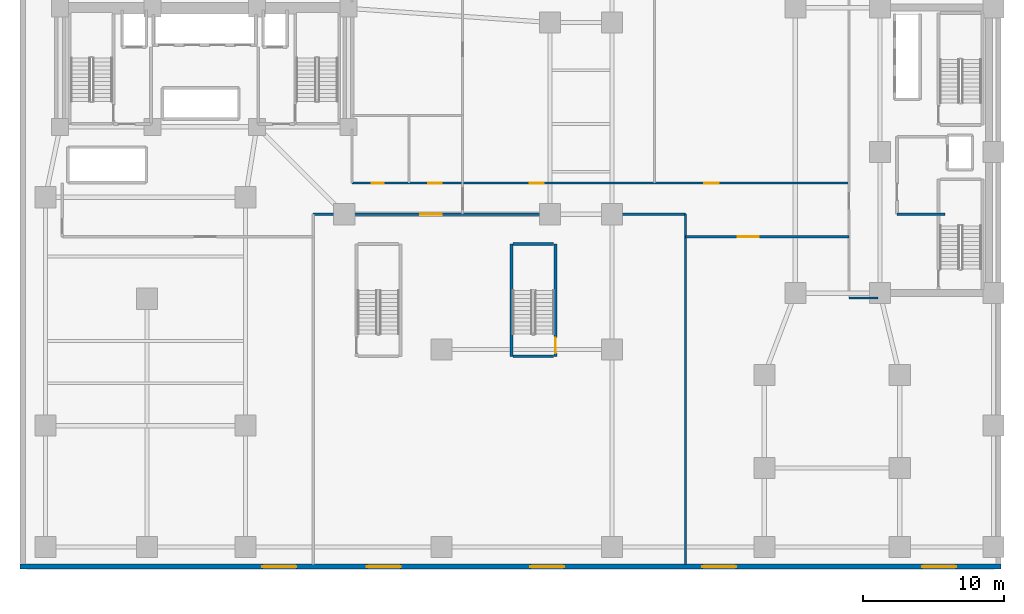
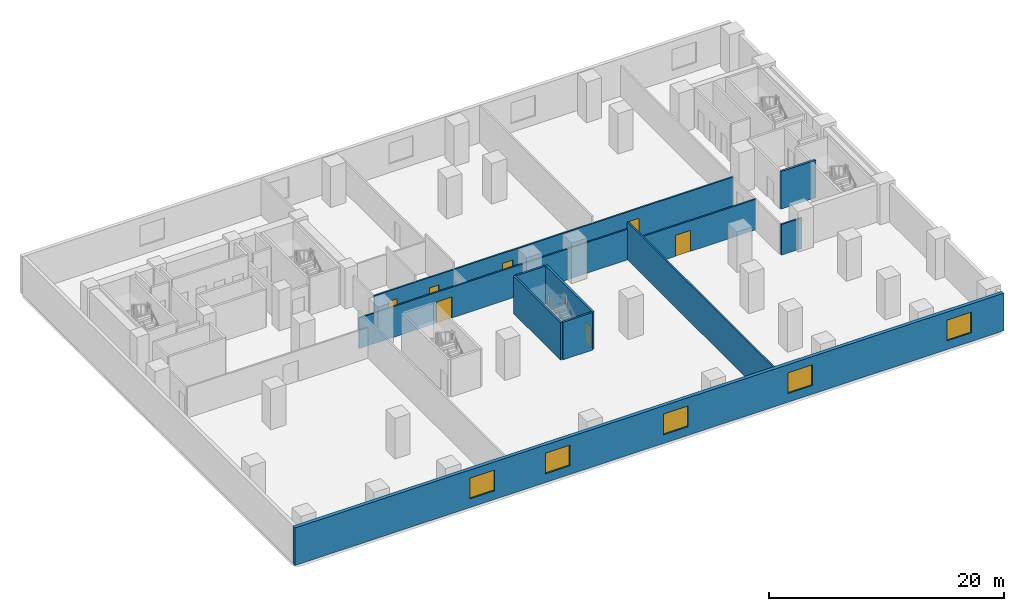
# One storey, part 3 of 8: 11 walls, 7 doors, 5 windows, 12 openings.
"""IFC4 building model written with IfcOpenShell, lengths in metres."""

from ifc_helpers import new_model, si_unit, direction, frame, frame_2d, origin, place, context, subcontext, project, spatial, rectangle, extrude, material, layer, layer_set, type_object, element, fill, save


model = new_model("IFC4")

# Units and contexts
model_context = context("Model", 3, precision=1e-05, world=origin(), true_north=direction((0.0, 1.0)))
body_context = subcontext(model_context, "Body", "Model", "MODEL_VIEW")
ifc_project = project(units=[si_unit("LENGTHUNIT", "METRE"), si_unit("AREAUNIT", "SQUARE_METRE"), si_unit("VOLUMEUNIT", "CUBIC_METRE"), si_unit("PLANEANGLEUNIT", "RADIAN"), si_unit("MASSUNIT", "GRAM", prefix="KILO")], contexts=[model_context])

# Site, building, storey
site_placement = place(None, origin())
site = spatial("IfcSite", under=ifc_project, at=site_placement, CompositionType="ELEMENT")
building_placement = place(site_placement, origin())
building = spatial("IfcBuilding", under=site, at=building_placement, Name="Kuzgunbayir Cultural Tower", CompositionType="ELEMENT")
storey_placement = place(building_placement, frame((0.0, 0.0, 17.60009765625)))
storey = spatial("IfcBuildingStorey", under=building, at=storey_placement, Name="L04", CompositionType="ELEMENT", Elevation=17.60009765625)

# Wall, openings, windows
ifc_material_1 = material(Name="Anatolian Cream Limestone", Category="masonry")
ifc_layer_1 = layer(ifc_material_1, 0.35009765625)
ifc_layer_set_1 = layer_set([ifc_layer_1], Name="Anatolian Cream Limestone")
wall_type_1 = type_object("IfcWallType", Name="WAL-EXT-STONE-350", PredefinedType="STANDARD", material=ifc_layer_set_1)
wall_1_placement = place(storey_placement, frame((3.60009765625, 2.60009765625, 0.0), z_axis=(0.0, 0.0, 1.0), x_axis=(1.0, 0.0, 0.0)))
wall_1 = element("IfcWall", 1, at=wall_1_placement, inside=storey, type_object=wall_type_1, Name="L04 Podium South Limestone Facade", PredefinedType="STANDARD", context=body_context, shape_type="SweptSolid", body=[
    extrude(rectangle(XDim=69.599853515625, YDim=0.35009765625, at=frame_2d((34.7998046875, 0.0))), origin(), (0.0, 0.0, 1.0), 3.89990234375),
])
opening_1_placement = place(wall_1_placement, frame((17.199951171875, 0.0, 0.89990234375)))
opening_1 = element("IfcOpeningElement", 2, at=opening_1_placement, cuts=wall_1, Name="Opening WG-24", PredefinedType="OPENING", context=body_context, shape_type="SweptSolid", body=[
    extrude(rectangle(XDim=2.39990234375, YDim=2.14990234375, at=frame_2d((1.199951171875, 1.074951171875))), frame((0.0, 0.18505859375, 0.0), z_axis=(0.0, -1.0, 0.0), x_axis=(1.0, 0.0, 0.0)), (0.0, 0.0, 1.0), 0.3701171875),
])
opening_2_placement = place(wall_1_placement, frame((24.60009765625, 0.0, 0.89990234375)))
opening_2 = element("IfcOpeningElement", 3, at=opening_2_placement, cuts=wall_1, Name="Opening WG-24", PredefinedType="OPENING", context=body_context, shape_type="SweptSolid", body=[
    extrude(rectangle(XDim=2.39990234375, YDim=2.14990234375, at=frame_2d((1.199951171875, 1.074951171875))), frame((0.0, 0.18505859375, 0.0), z_axis=(0.0, -1.0, 0.0), x_axis=(1.0, 0.0, 0.0)), (0.0, 0.0, 1.0), 0.3701171875),
])
opening_3_placement = place(wall_1_placement, frame((36.199951171875, 0.0, 0.89990234375)))
opening_3 = element("IfcOpeningElement", 4, at=opening_3_placement, cuts=wall_1, Name="Opening WG-24", PredefinedType="OPENING", context=body_context, shape_type="SweptSolid", body=[
    extrude(rectangle(XDim=2.39990234375, YDim=2.14990234375, at=frame_2d((1.199951171875, 1.074951171875))), frame((0.0, 0.18505859375, 0.0), z_axis=(0.0, -1.0, 0.0), x_axis=(1.0, 0.0, 0.0)), (0.0, 0.0, 1.0), 0.3701171875),
])
opening_4_placement = place(wall_1_placement, frame((48.39990234375, 0.0, 0.89990234375)))
opening_4 = element("IfcOpeningElement", 5, at=opening_4_placement, cuts=wall_1, Name="Opening WG-24", PredefinedType="OPENING", context=body_context, shape_type="SweptSolid", body=[
    extrude(rectangle(XDim=2.39990234375, YDim=2.14990234375, at=frame_2d((1.199951171875, 1.074951171875))), frame((0.0, 0.18505859375, 0.0), z_axis=(0.0, -1.0, 0.0), x_axis=(1.0, 0.0, 0.0)), (0.0, 0.0, 1.0), 0.3701171875),
])
opening_5_placement = place(wall_1_placement, frame((64.0, 0.0, 0.89990234375)))
opening_5 = element("IfcOpeningElement", 6, at=opening_5_placement, cuts=wall_1, Name="Opening WG-24", PredefinedType="OPENING", context=body_context, shape_type="SweptSolid", body=[
    extrude(rectangle(XDim=2.39990234375, YDim=2.14990234375, at=frame_2d((1.199951171875, 1.074951171875))), frame((0.0, 0.18505859375, 0.0), z_axis=(0.0, -1.0, 0.0), x_axis=(1.0, 0.0, 0.0)), (0.0, 0.0, 1.0), 0.3701171875),
])
ifc_material_2 = material(Name="Solar-Control Triple Glazing", Category="glass")
window_type = type_object("IfcWindowType", Name="WIN-GALLERY-24", PartitioningType="SINGLE_PANEL", PredefinedType="WINDOW", material=ifc_material_2)
window_1_placement = place(opening_1_placement, origin())
window_1 = element("IfcWindow", 7, at=window_1_placement, inside=storey, type_object=window_type, Name="L04 Podium South Gallery Window 1", OverallHeight=2.14990234375, OverallWidth=2.39990234375, PartitioningType="SINGLE_PANEL", PredefinedType="WINDOW", context=body_context, shape_type="SweptSolid", body=[
    extrude(rectangle(XDim=2.39990234375, YDim=2.14990234375, at=frame_2d((1.199951171875, 1.074951171875))), frame((0.0, 0.030029296875, 0.0), z_axis=(0.0, -1.0, 0.0), x_axis=(1.0, 0.0, 0.0)), (0.0, 0.0, 1.0), 0.06005859375),
])
fill(opening_1, window_1)
window_2_placement = place(opening_2_placement, origin())
window_2 = element("IfcWindow", 8, at=window_2_placement, inside=storey, type_object=window_type, Name="L04 Podium South Gallery Window 2", OverallHeight=2.14990234375, OverallWidth=2.39990234375, PartitioningType="SINGLE_PANEL", PredefinedType="WINDOW", context=body_context, shape_type="SweptSolid", body=[
    extrude(rectangle(XDim=2.39990234375, YDim=2.14990234375, at=frame_2d((1.199951171875, 1.074951171875))), frame((0.0, 0.030029296875, 0.0), z_axis=(0.0, -1.0, 0.0), x_axis=(1.0, 0.0, 0.0)), (0.0, 0.0, 1.0), 0.06005859375),
])
fill(opening_2, window_2)
window_3_placement = place(opening_3_placement, origin())
window_3 = element("IfcWindow", 9, at=window_3_placement, inside=storey, type_object=window_type, Name="L04 Podium South Gallery Window 3", OverallHeight=2.14990234375, OverallWidth=2.39990234375, PartitioningType="SINGLE_PANEL", PredefinedType="WINDOW", context=body_context, shape_type="SweptSolid", body=[
    extrude(rectangle(XDim=2.39990234375, YDim=2.14990234375, at=frame_2d((1.199951171875, 1.074951171875))), frame((0.0, 0.030029296875, 0.0), z_axis=(0.0, -1.0, 0.0), x_axis=(1.0, 0.0, 0.0)), (0.0, 0.0, 1.0), 0.06005859375),
])
fill(opening_3, window_3)
window_4_placement = place(opening_4_placement, origin())
window_4 = element("IfcWindow", 10, at=window_4_placement, inside=storey, type_object=window_type, Name="L04 Podium South Gallery Window 4", OverallHeight=2.14990234375, OverallWidth=2.39990234375, PartitioningType="SINGLE_PANEL", PredefinedType="WINDOW", context=body_context, shape_type="SweptSolid", body=[
    extrude(rectangle(XDim=2.39990234375, YDim=2.14990234375, at=frame_2d((1.199951171875, 1.074951171875))), frame((0.0, 0.030029296875, 0.0), z_axis=(0.0, -1.0, 0.0), x_axis=(1.0, 0.0, 0.0)), (0.0, 0.0, 1.0), 0.06005859375),
])
fill(opening_4, window_4)
window_5_placement = place(opening_5_placement, origin())
window_5 = element("IfcWindow", 11, at=window_5_placement, inside=storey, type_object=window_type, Name="L04 Podium South Gallery Window 5", OverallHeight=2.14990234375, OverallWidth=2.39990234375, PartitioningType="SINGLE_PANEL", PredefinedType="WINDOW", context=body_context, shape_type="SweptSolid", body=[
    extrude(rectangle(XDim=2.39990234375, YDim=2.14990234375, at=frame_2d((1.199951171875, 1.074951171875))), frame((0.0, 0.030029296875, 0.0), z_axis=(0.0, -1.0, 0.0), x_axis=(1.0, 0.0, 0.0)), (0.0, 0.0, 1.0), 0.06005859375),
])
fill(opening_5, window_5)

# Wall, opening, door
ifc_material_3 = material(Name="Acoustic Double-Stud Drywall", Category="gypsum")
ifc_layer_2 = layer(ifc_material_3, 0.14990234375)
ifc_layer_set_2 = layer_set([ifc_layer_2], Name="Acoustic Double-Stud Drywall")
wall_type_2 = type_object("IfcWallType", Name="WAL-PART-ACOUSTIC-150", PredefinedType="PARTITIONING", material=ifc_layer_set_2)
wall_2_placement = place(storey_placement, frame((24.39990234375, 27.60009765625, 0.0), z_axis=(0.0, 0.0, 1.0), x_axis=(1.0, 0.0, 0.0)))
wall_2 = element("IfcWall", 12, at=wall_2_placement, inside=storey, type_object=wall_type_2, Name="L04 Central Concourse South Wall", PredefinedType="PARTITIONING", context=body_context, shape_type="SweptSolid", body=[
    extrude(rectangle(XDim=26.400146484375, YDim=0.14990234375, at=frame_2d((13.2001953125, 0.0))), origin(), (0.0, 0.0, 1.0), 3.179931640625),
])
opening_6_placement = place(wall_2_placement, frame((7.60009765625, 0.0, 0.0)))
opening_6 = element("IfcOpeningElement", 13, at=opening_6_placement, cuts=wall_2, Name="Opening DI-150", PredefinedType="OPENING", context=body_context, shape_type="SweptSolid", body=[
    extrude(rectangle(XDim=1.5, YDim=2.179931640625, at=frame_2d((0.75, 1.08984375))), frame((0.0, 0.0849609375, 0.0), z_axis=(0.0, -1.0, 0.0), x_axis=(1.0, 0.0, 0.0)), (0.0, 0.0, 1.0), 0.169921875),
])
ifc_material_4 = material(Name="Veneered Oak Double Leaf", Category="wood")
door_type_1 = type_object("IfcDoorType", Name="DR-INT-150", OperationType="DOUBLE_DOOR_SINGLE_SWING", PredefinedType="DOOR", material=ifc_material_4)
door_1_placement = place(opening_6_placement, origin())
door_1 = element("IfcDoor", 14, at=door_1_placement, inside=storey, type_object=door_type_1, Name="L04 Central Hall Double Door", OperationType="DOUBLE_DOOR_SINGLE_SWING", OverallHeight=2.179931640625, OverallWidth=1.5, PredefinedType="DOOR", context=body_context, shape_type="SweptSolid", body=[
    extrude(rectangle(XDim=1.5, YDim=2.179931640625, at=frame_2d((0.75, 1.08984375))), frame((0.0, 0.02490234375, 0.0), z_axis=(0.0, -1.0, 0.0), x_axis=(1.0, 0.0, 0.0)), (0.0, 0.0, 1.0), 0.050048828125),
])
fill(opening_6, door_1)

wall_3_placement = place(storey_placement, frame((50.800048828125, 26.0, 0.0), z_axis=(0.0, 0.0, 1.0), x_axis=(1.0, 0.0, 0.0)))
wall_3 = element("IfcWall", 15, at=wall_3_placement, inside=storey, type_object=wall_type_2, Name="L04 East Concourse South Wall", PredefinedType="PARTITIONING", context=body_context, shape_type="SweptSolid", body=[
    extrude(rectangle(XDim=11.599853515625, YDim=0.14990234375, at=frame_2d((5.7998046875, 0.0))), origin(), (0.0, 0.0, 1.0), 3.179931640625),
])
opening_7_placement = place(wall_3_placement, frame((3.699951171875, 0.0, 0.0)))
opening_7 = element("IfcOpeningElement", 16, at=opening_7_placement, cuts=wall_3, Name="Opening DI-150", PredefinedType="OPENING", context=body_context, shape_type="SweptSolid", body=[
    extrude(rectangle(XDim=1.5, YDim=2.179931640625, at=frame_2d((0.75, 1.08984375))), frame((0.0, 0.0849609375, 0.0), z_axis=(0.0, -1.0, 0.0), x_axis=(1.0, 0.0, 0.0)), (0.0, 0.0, 1.0), 0.169921875),
])
door_2_placement = place(opening_7_placement, origin())
door_2 = element("IfcDoor", 17, at=door_2_placement, inside=storey, type_object=door_type_1, Name="L04 East Hall Double Door", OperationType="DOUBLE_DOOR_SINGLE_SWING", OverallHeight=2.179931640625, OverallWidth=1.5, PredefinedType="DOOR", context=body_context, shape_type="SweptSolid", body=[
    extrude(rectangle(XDim=1.5, YDim=2.179931640625, at=frame_2d((0.75, 1.08984375))), frame((0.0, 0.02490234375, 0.0), z_axis=(0.0, -1.0, 0.0), x_axis=(1.0, 0.0, 0.0)), (0.0, 0.0, 1.0), 0.050048828125),
])
fill(opening_7, door_2)

# Wall, openings, doors
wall_4_placement = place(storey_placement, frame((27.14990234375, 29.800048828125, 0.0), z_axis=(0.0, 0.0, 1.0), x_axis=(1.0, 0.0, 0.0)))
wall_4 = element("IfcWall", 18, at=wall_4_placement, inside=storey, type_object=wall_type_2, Name="L04 Grand Concourse North Wall", PredefinedType="PARTITIONING", context=body_context, shape_type="SweptSolid", body=[
    extrude(rectangle(XDim=35.25, YDim=0.14990234375, at=frame_2d((17.625, 0.0))), origin(), (0.0, 0.0, 1.0), 3.179931640625),
])
opening_8_placement = place(wall_4_placement, frame((25.0, 0.0, 0.0)))
opening_8 = element("IfcOpeningElement", 19, at=opening_8_placement, cuts=wall_4, Name="Opening DI-100", PredefinedType="OPENING", context=body_context, shape_type="SweptSolid", body=[
    extrude(rectangle(XDim=1.0, YDim=2.14990234375, at=frame_2d((0.5, 1.074951171875))), frame((0.0, 0.0849609375, 0.0), z_axis=(0.0, -1.0, 0.0), x_axis=(1.0, 0.0, 0.0)), (0.0, 0.0, 1.0), 0.169921875),
])
opening_9_placement = place(wall_4_placement, frame((1.39990234375, 0.0, 0.0)))
opening_9 = element("IfcOpeningElement", 20, at=opening_9_placement, cuts=wall_4, Name="Opening DW-85", PredefinedType="OPENING", context=body_context, shape_type="SweptSolid", body=[
    extrude(rectangle(XDim=0.85009765625, YDim=2.10009765625, at=frame_2d((0.425048828125, 1.050048828125))), frame((0.0, 0.0849609375, 0.0), z_axis=(0.0, -1.0, 0.0), x_axis=(1.0, 0.0, 0.0)), (0.0, 0.0, 1.0), 0.169921875),
])
opening_10_placement = place(wall_4_placement, frame((5.39990234375, 0.0, 0.0)))
opening_10 = element("IfcOpeningElement", 21, at=opening_10_placement, cuts=wall_4, Name="Opening DW-95", PredefinedType="OPENING", context=body_context, shape_type="SweptSolid", body=[
    extrude(rectangle(XDim=0.949951171875, YDim=2.10009765625, at=frame_2d((0.47509765625, 1.050048828125))), frame((0.0, 0.0849609375, 0.0), z_axis=(0.0, -1.0, 0.0), x_axis=(1.0, 0.0, 0.0)), (0.0, 0.0, 1.0), 0.169921875),
])
opening_11_placement = place(wall_4_placement, frame((12.60009765625, 0.0, 0.0)))
opening_11 = element("IfcOpeningElement", 22, at=opening_11_placement, cuts=wall_4, Name="Opening DI-100", PredefinedType="OPENING", context=body_context, shape_type="SweptSolid", body=[
    extrude(rectangle(XDim=1.0, YDim=2.14990234375, at=frame_2d((0.5, 1.074951171875))), frame((0.0, 0.0849609375, 0.0), z_axis=(0.0, -1.0, 0.0), x_axis=(1.0, 0.0, 0.0)), (0.0, 0.0, 1.0), 0.169921875),
])
ifc_material_5 = material(Name="Veneered Oak Single Leaf", Category="wood")
door_type_2 = type_object("IfcDoorType", Name="DR-INT-100", OperationType="NOTDEFINED", PredefinedType="DOOR", material=ifc_material_5)
door_3_placement = place(opening_8_placement, origin())
door_3 = element("IfcDoor", 23, at=door_3_placement, inside=storey, type_object=door_type_2, Name="L04 North Design Studio Door", OperationType="SINGLE_SWING_RIGHT", OverallHeight=2.14990234375, OverallWidth=1.0, PredefinedType="DOOR", context=body_context, shape_type="SweptSolid", body=[
    extrude(rectangle(XDim=1.0, YDim=2.14990234375, at=frame_2d((0.5, 1.074951171875))), frame((0.0, 0.02490234375, 0.0), z_axis=(0.0, -1.0, 0.0), x_axis=(1.0, 0.0, 0.0)), (0.0, 0.0, 1.0), 0.050048828125),
])
fill(opening_8, door_3)
door_4_placement = place(opening_11_placement, origin())
door_4 = element("IfcDoor", 24, at=door_4_placement, inside=storey, type_object=door_type_2, Name="L04 North Hall Door", OperationType="SINGLE_SWING_RIGHT", OverallHeight=2.14990234375, OverallWidth=1.0, PredefinedType="DOOR", context=body_context, shape_type="SweptSolid", body=[
    extrude(rectangle(XDim=1.0, YDim=2.14990234375, at=frame_2d((0.5, 1.074951171875))), frame((0.0, 0.02490234375, 0.0), z_axis=(0.0, -1.0, 0.0), x_axis=(1.0, 0.0, 0.0)), (0.0, 0.0, 1.0), 0.050048828125),
])
fill(opening_11, door_4)
ifc_material_6 = material(Name="Laminate Moisture-Resistant Leaf", Category="wood")
door_type_3 = type_object("IfcDoorType", Name="DR-WET-85", OperationType="NOTDEFINED", PredefinedType="DOOR", material=ifc_material_6)
door_5_placement = place(opening_9_placement, origin())
door_5 = element("IfcDoor", 25, at=door_5_placement, inside=storey, type_object=door_type_3, Name="L04 Public WC Door", OperationType="SINGLE_SWING_RIGHT", OverallHeight=2.10009765625, OverallWidth=0.85009765625, PredefinedType="DOOR", context=body_context, shape_type="SweptSolid", body=[
    extrude(rectangle(XDim=0.85009765625, YDim=2.10009765625, at=frame_2d((0.425048828125, 1.050048828125))), frame((0.0, 0.02490234375, 0.0), z_axis=(0.0, -1.0, 0.0), x_axis=(1.0, 0.0, 0.0)), (0.0, 0.0, 1.0), 0.050048828125),
])
fill(opening_9, door_5)
door_type_4 = type_object("IfcDoorType", Name="DR-WET-95", OperationType="NOTDEFINED", PredefinedType="DOOR", material=ifc_material_6)
door_6_placement = place(opening_10_placement, origin())
door_6 = element("IfcDoor", 26, at=door_6_placement, inside=storey, type_object=door_type_4, Name="L04 Accessible WC Door", OperationType="SINGLE_SWING_LEFT", OverallHeight=2.10009765625, OverallWidth=0.949951171875, PredefinedType="DOOR", context=body_context, shape_type="SweptSolid", body=[
    extrude(rectangle(XDim=0.949951171875, YDim=2.10009765625, at=frame_2d((0.47509765625, 1.050048828125))), frame((0.0, 0.02490234375, 0.0), z_axis=(0.0, -1.0, 0.0), x_axis=(1.0, 0.0, 0.0)), (0.0, 0.0, 1.0), 0.050048828125),
])
fill(opening_10, door_6)

# Walls
wall_5_placement = place(storey_placement, frame((50.800048828125, 2.75, 0.0), z_axis=(0.0, 0.0, 1.0), x_axis=(0.0, 1.0, 0.0)))
element("IfcWall", 27, at=wall_5_placement, inside=storey, type_object=wall_type_2, Name="L04 Central Performance Hall Divider", PredefinedType="PARTITIONING", context=body_context, shape_type="SweptSolid", body=[
    extrude(rectangle(XDim=24.85009765625, YDim=0.14990234375, at=frame_2d((12.425048828125, 0.0))), origin(), (0.0, 0.0, 1.0), 3.89990234375),
])
wall_6_placement = place(storey_placement, frame((62.39990234375, 21.64990234375, 0.0), z_axis=(0.0, 0.0, 1.0), x_axis=(1.0, 0.0, 0.0)))
element("IfcWall", 28, at=wall_6_placement, inside=storey, type_object=wall_type_2, Name="L04 Companion Core South Closure", PredefinedType="PARTITIONING", context=body_context, shape_type="SweptSolid", body=[
    extrude(rectangle(XDim=2.050048828125, YDim=0.14990234375, at=frame_2d((1.02490234375, 0.0))), origin(), (0.0, 0.0, 1.0), 3.179931640625),
])
ifc_material_7 = material(Name="Aerated Concrete Blockwork", Category="masonry")
ifc_layer_3 = layer(ifc_material_7, 0.199951171875)
ifc_layer_set_3 = layer_set([ifc_layer_3], Name="Aerated Concrete Blockwork")
wall_type_3 = type_object("IfcWallType", Name="WAL-PART-FIRE-200", PredefinedType="PARTITIONING", material=ifc_layer_set_3)
wall_7_placement = place(storey_placement, frame((65.800048828125, 27.60009765625, 0.0), z_axis=(0.0, 0.0, 1.0), x_axis=(1.0, 0.0, 0.0)))
element("IfcWall", 29, at=wall_7_placement, inside=storey, type_object=wall_type_3, Name="L04 FFL-3 Lobby South Fire Wall", PredefinedType="PARTITIONING", context=body_context, shape_type="SweptSolid", body=[
    extrude(rectangle(XDim=3.39990234375, YDim=0.199951171875, at=frame_2d((1.699951171875, 0.0))), origin(), (0.0, 0.0, 1.0), 3.89990234375),
])
ifc_material_8 = material(Name="Concrete C40/50", Category="concrete")
ifc_layer_4 = layer(ifc_material_8, 0.199951171875)
ifc_layer_set_4 = layer_set([ifc_layer_4], Name="Concrete C40/50")
wall_type_4 = type_object("IfcWallType", Name="WAL-STAIR-RC-200", PredefinedType="SHEAR", material=ifc_layer_set_4)
wall_8_placement = place(storey_placement, frame((38.4599609375, 17.52001953125, 0.0), z_axis=(0.0, 0.0, 1.0), x_axis=(0.0, 1.0, 0.0)))
element("IfcWall", 30, at=wall_8_placement, inside=storey, type_object=wall_type_4, Name="L04 Stair ST-6 West Structural Wall", PredefinedType="SHEAR", context=body_context, shape_type="SweptSolid", body=[
    extrude(rectangle(XDim=7.9599609375, YDim=0.199951171875, at=frame_2d((3.97998046875, 0.0))), origin(), (0.0, 0.0, 1.0), 3.89990234375),
])

# Wall, opening, door
wall_9_placement = place(storey_placement, frame((41.580078125, 17.52001953125, 0.0), z_axis=(0.0, 0.0, 1.0), x_axis=(0.0, 1.0, 0.0)))
wall_9 = element("IfcWall", 31, at=wall_9_placement, inside=storey, type_object=wall_type_4, Name="L04 Stair ST-6 East Structural Wall", PredefinedType="SHEAR", context=body_context, shape_type="SweptSolid", body=[
    extrude(rectangle(XDim=7.9599609375, YDim=0.199951171875, at=frame_2d((3.97998046875, 0.0))), origin(), (0.0, 0.0, 1.0), 3.89990234375),
])
opening_12_placement = place(wall_9_placement, frame((0.219970703125, 0.0, 0.0)))
opening_12 = element("IfcOpeningElement", 32, at=opening_12_placement, cuts=wall_9, Name="Opening DR-STAIR-90", PredefinedType="OPENING", context=body_context, shape_type="SweptSolid", body=[
    extrude(rectangle(XDim=1.10009765625, YDim=2.14990234375, at=frame_2d((0.550048828125, 1.074951171875))), frame((0.0, 0.10986328125, 0.0), z_axis=(0.0, -1.0, 0.0), x_axis=(1.0, 0.0, 0.0)), (0.0, 0.0, 1.0), 0.219970703125),
])
ifc_material_9 = material(Name="Steel S355J2", Category="steel")
door_type_5 = type_object("IfcDoorType", Name="DR-STAIR-90", OperationType="NOTDEFINED", PredefinedType="DOOR", material=ifc_material_9)
door_7_placement = place(opening_12_placement, origin())
door_7 = element("IfcDoor", 33, at=door_7_placement, inside=storey, type_object=door_type_5, Name="L04 Stair ST-6 Fire Door", OperationType="SINGLE_SWING_LEFT", OverallHeight=2.14990234375, OverallWidth=1.10009765625, PredefinedType="DOOR", context=body_context, shape_type="SweptSolid", body=[
    extrude(rectangle(XDim=1.10009765625, YDim=2.14990234375, at=frame_2d((0.550048828125, 1.074951171875))), frame((0.0, 0.02490234375, 0.0), z_axis=(0.0, -1.0, 0.0), x_axis=(1.0, 0.0, 0.0)), (0.0, 0.0, 1.0), 0.050048828125),
])
fill(opening_12, door_7)

# Walls
for number, where, z_axis, x_axis, name in (
    (34, (38.580078125, 25.47998046875, 0.0), (0.0, 0.0, 1.0), (1.0, 0.0, 0.0), "L04 Stair ST-6 North Structural Wall"),
    (35, (38.580078125, 17.52001953125, 0.0), (0.0, 0.0, 1.0), (1.0, 0.0, 0.0), "L04 Stair ST-6 South Structural Wall"),
):
    element("IfcWall", number, at=place(storey_placement, frame(where, z_axis=z_axis, x_axis=x_axis)), inside=storey, type_object=wall_type_4, Name=name, PredefinedType="SHEAR", context=body_context, shape_type="SweptSolid", body=[
        extrude(rectangle(XDim=2.8798828125, YDim=0.199951171875, at=frame_2d((1.43994140625, 0.0))), origin(), (0.0, 0.0, 1.0), 3.89990234375),
    ])

save(model, "model.ifc")
